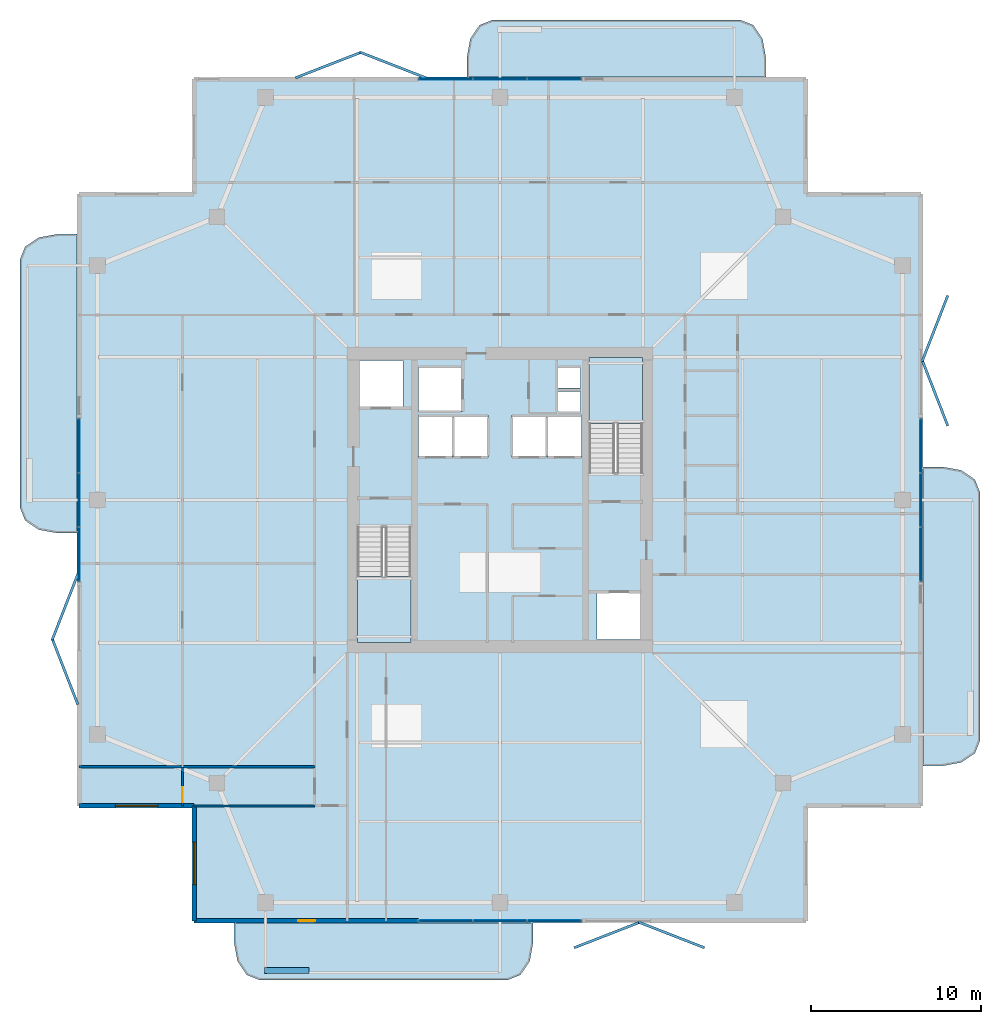
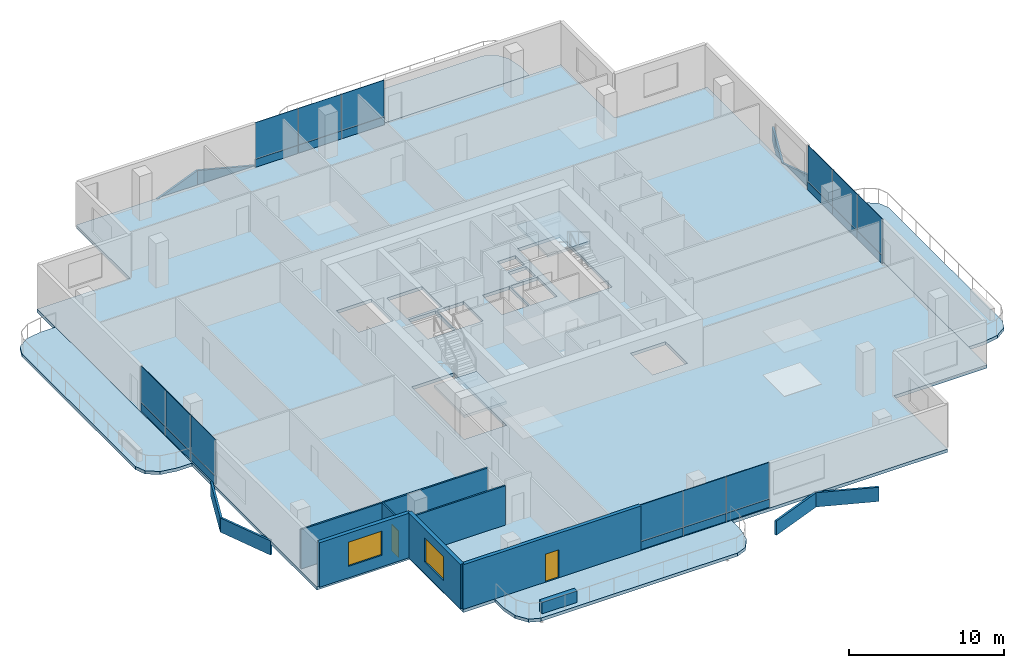
# One storey, part 17 of 25: 32 plates, 7 slabs, 7 walls, 2 doors, 2 windows, 4 openings, 6 elements without a shape of their own.
"""IFC4 building model written with IfcOpenShell, lengths in metres."""

import ifcopenshell
import ifcopenshell.guid

model = None  # the IFC model being written
_history = None  # IfcOwnerHistory: only IFC2X3 demands one
_inside = {}  # id of a spatial element -> (the spatial element, [elements in it])
_under = {}  # id of a project, library or spatial element -> (it, [spatial elements below it])
_declared = {}  # id of a project -> (the project, [libraries it declares])
_typed = {}  # id of a type object -> (the type object, [elements of that type])
_made_of = {}  # id of a material, layer set ... -> (it, [elements and type objects made of it])


def new_model(schema):
    """Start an empty IFC model of exactly this schema.

    Asked for "IFC4X3", IfcOpenShell would pick the latest addendum, in which some entities
    have other attributes; the version numbers below select the first issue.
    IFC2X3 requires an IfcOwnerHistory on every rooted entity: one is made here for all.
    """
    global model, _history
    if schema == "IFC4X3":
        model = ifcopenshell.file(schema_version=(4, 3, 0, 0))
    else:
        model = ifcopenshell.file(schema=schema)
    _inside.clear()
    _under.clear()
    _declared.clear()
    _typed.clear()
    _made_of.clear()
    _history = None
    if model.schema == "IFC2X3":
        org = make("IfcOrganization", Name="unknown")
        user = make(
            "IfcPersonAndOrganization",
            ThePerson=make("IfcPerson", FamilyName="unknown"),
            TheOrganization=org,
        )
        app = make(
            "IfcApplication",
            ApplicationDeveloper=org,
            Version="unknown",
            ApplicationFullName="unknown",
            ApplicationIdentifier="unknown",
        )
        _history = make(
            "IfcOwnerHistory",
            OwningUser=user,
            OwningApplication=app,
            ChangeAction="ADDED",
            CreationDate=0,
        )
    return model


def make(cls, **values):
    """One entity of the class cls with the attributes given. An attribute that is None is left unset."""
    return model.create_entity(
        cls, **{name: value for name, value in values.items() if value is not None}
    )


def rooted(cls, **values):
    """An entity with a GlobalId (a new one), such as an element, a storey or a relation."""
    return make(cls, GlobalId=ifcopenshell.guid.new(), OwnerHistory=_history, **values)


def si_unit(unit_type, name, prefix=None):
    """IfcSIUnit, for example si_unit("LENGTHUNIT", "METRE", prefix="MILLI")."""
    return make("IfcSIUnit", UnitType=unit_type, Prefix=prefix, Name=name)


def assignment(units):
    """IfcUnitAssignment: the units of a project."""
    return None if units is None else make("IfcUnitAssignment", Units=units)


def point(xyz):
    """IfcCartesianPoint."""
    return None if xyz is None else make("IfcCartesianPoint", Coordinates=xyz)


def direction(xyz):
    """IfcDirection."""
    return None if xyz is None else make("IfcDirection", DirectionRatios=xyz)


def frame(location, z_axis=None, x_axis=None):
    """IfcAxis2Placement3D, a coordinate frame: its origin and axes. An axis left out is left unset."""
    return make(
        "IfcAxis2Placement3D",
        Location=point(location),
        Axis=direction(z_axis),
        RefDirection=direction(x_axis),
    )


def frame_2d(location, x_axis=None):
    """IfcAxis2Placement2D, a coordinate frame in the plane: its origin and x axis."""
    return make(
        "IfcAxis2Placement2D", Location=point(location), RefDirection=direction(x_axis)
    )


def origin():
    """The frame at (0, 0, 0) with its axes left unset."""
    return frame((0.0, 0.0, 0.0))


def origin_2d():
    """The frame at (0, 0) in the plane with its x axis left unset."""
    return frame_2d((0.0, 0.0))


def place(relative_to, where):
    """IfcLocalPlacement: puts the frame where relative to a parent placement (None: the world)."""
    return make(
        "IfcLocalPlacement", PlacementRelTo=relative_to, RelativePlacement=where
    )


def context(
    kind, dimensions, precision=None, world=None, true_north=None, identifier=None
):
    """IfcGeometricRepresentationContext, for example the 3D "Model" context."""
    return make(
        "IfcGeometricRepresentationContext",
        ContextIdentifier=identifier,
        ContextType=kind,
        CoordinateSpaceDimension=dimensions,
        Precision=precision,
        WorldCoordinateSystem=world,
        TrueNorth=true_north,
    )


def subcontext(parent, identifier, kind, view, scale=None):
    """IfcGeometricRepresentationSubContext, for example "Body" below "Model"."""
    return make(
        "IfcGeometricRepresentationSubContext",
        ContextIdentifier=identifier,
        ContextType=kind,
        ParentContext=parent,
        TargetScale=scale,
        TargetView=view,
    )


def project(units=None, contexts=None):
    """IfcProject with its units and contexts."""
    return rooted(
        "IfcProject",
        Name="project",
        RepresentationContexts=contexts,
        UnitsInContext=assignment(units),
    )


def spatial(cls, under=None, at=None, **own):
    """A site, building, storey or space (cls), placed at a placement, below another one or the project."""
    s = rooted(cls, ObjectPlacement=at, **own)
    if under is not None:
        _under.setdefault(under.id(), (under, []))[1].append(s)
    return s


def polyline(points):
    """IfcPolyline through the points."""
    return make("IfcPolyline", Points=[point(p) for p in points])


def profile(cls, at=None, kind="AREA", **sizes):
    """A parametric profile (cls). Its sizes go by their IFC names, for example OverallWidth=200.0."""
    return make(cls, ProfileType=kind, Position=at, **sizes)


def rectangle(**sizes):
    """IfcRectangleProfileDef."""
    return profile("IfcRectangleProfileDef", **sizes)


def outline(outer, holes=None, kind="AREA"):
    """IfcArbitraryClosedProfileDef: a profile drawn as a closed curve; with holes, ...WithVoids."""
    if holes is None:
        return make("IfcArbitraryClosedProfileDef", ProfileType=kind, OuterCurve=outer)
    return make(
        "IfcArbitraryProfileDefWithVoids",
        ProfileType=kind,
        OuterCurve=outer,
        InnerCurves=holes,
    )


def extrude(swept, where, along, depth):
    """IfcExtrudedAreaSolid: the profile swept, set in the frame where, extruded along a direction by depth."""
    return make(
        "IfcExtrudedAreaSolid",
        SweptArea=swept,
        Position=where,
        ExtrudedDirection=direction(along),
        Depth=depth,
    )


def shape(context_of_items, identifier, shape_type, items):
    """IfcShapeRepresentation: the items that make up one representation, for example the "Body"."""
    return make(
        "IfcShapeRepresentation",
        ContextOfItems=context_of_items,
        RepresentationIdentifier=identifier,
        RepresentationType=shape_type,
        Items=items,
    )


def material(Name=None, Category=None):
    """IfcMaterial."""
    return make("IfcMaterial", Name=Name, Category=Category)


def layer(
    of_material, thickness, ventilated=None, Name=None, Category=None, Priority=None
):
    """IfcMaterialLayer: one layer of a wall or slab, of a material (None: an air gap)."""
    return make(
        "IfcMaterialLayer",
        Material=of_material,
        LayerThickness=thickness,
        IsVentilated=ventilated,
        Name=Name,
        Category=Category,
        Priority=Priority,
    )


def layer_set(layers, Name=None):
    """IfcMaterialLayerSet."""
    return make("IfcMaterialLayerSet", MaterialLayers=layers, LayerSetName=Name)


def made_of(thing, what):
    """Note that an element or type object is made of a material, layer set ...; save() writes the relation."""
    if what is not None:
        _made_of.setdefault(what.id(), (what, []))[1].append(thing)
    return thing


def type_object(cls, material=None, **own):
    """A type object (cls), such as IfcWallType, which elements share."""
    return made_of(rooted(cls, **own), material)


def element(
    cls,
    number,
    at=None,
    inside=None,
    cuts=None,
    type_object=None,
    material=None,
    context=None,
    identifier="Body",
    shape_type=None,
    held_by="IfcProductDefinitionShape",
    body=None,
    shapes=None,
    **own,
):
    """One element of the class cls, such as IfcWall. Its Tag is "e" and its number.

    at: its placement. inside: the storey or other place that contains it. cuts: it is an
    opening in that element (IfcRelVoidsElement). A single representation is given by context,
    identifier, shape_type and body (its items); several are given by shapes. held_by: the class
    of the entity that holds the representations. save() writes the other relations.
    """
    e = rooted(cls, Tag="e%d" % number, ObjectPlacement=at, **own)
    if body is not None:
        shapes = [shape(context, identifier, shape_type, body)]
    if shapes is not None:
        e.Representation = make(held_by, Representations=shapes)
    if inside is not None:
        _inside.setdefault(inside.id(), (inside, []))[1].append(e)
    if cuts is not None:
        rooted(
            "IfcRelVoidsElement", RelatingBuildingElement=cuts, RelatedOpeningElement=e
        )
    if type_object is not None:
        _typed.setdefault(type_object.id(), (type_object, []))[1].append(e)
    return made_of(e, material)


def fill(opening, filler):
    """IfcRelFillsElement: the door or window that sits in an opening."""
    return rooted(
        "IfcRelFillsElement",
        RelatingOpeningElement=opening,
        RelatedBuildingElement=filler,
    )


def aggregate(whole, parts):
    """IfcRelAggregates: a whole, such as a stair, and the parts it consists of."""
    return rooted("IfcRelAggregates", RelatingObject=whole, RelatedObjects=parts)


def save(model, path):
    """Write the relations noted so far, then the file.

    IfcRelAggregates (storeys below a building ...), IfcRelContainedInSpatialStructure (elements
    in a storey), IfcRelDefinesByType, IfcRelAssociatesMaterial and IfcRelDeclares: one each for
    every whole, place, type object, material and project.
    """
    for whole, parts in _under.values():
        aggregate(whole, parts)
    for where, things in _inside.values():
        rooted(
            "IfcRelContainedInSpatialStructure",
            RelatedElements=things,
            RelatingStructure=where,
        )
    for kind, things in _typed.values():
        rooted("IfcRelDefinesByType", RelatedObjects=things, RelatingType=kind)
    for what, things in _made_of.values():
        rooted("IfcRelAssociatesMaterial", RelatedObjects=things, RelatingMaterial=what)
    for by, libraries in _declared.values():
        rooted("IfcRelDeclares", RelatingContext=by, RelatedDefinitions=libraries)
    model.write(path)


model = new_model("IFC4")

# Units and contexts
model_context = context("Model", 3, precision=1e-05, world=origin(), true_north=direction((0.0, 1.0)))
body_context = subcontext(model_context, "Body", "Model", "MODEL_VIEW")
ifc_project = project(units=[si_unit("LENGTHUNIT", "METRE"), si_unit("AREAUNIT", "SQUARE_METRE"), si_unit("VOLUMEUNIT", "CUBIC_METRE"), si_unit("PLANEANGLEUNIT", "RADIAN"), si_unit("MASSUNIT", "GRAM", prefix="KILO")], contexts=[model_context])

# Site, building, storey
site_placement = place(None, origin())
site = spatial("IfcSite", under=ifc_project, at=site_placement, CompositionType="ELEMENT")
building_placement = place(site_placement, origin())
building = spatial("IfcBuilding", under=site, at=building_placement, Name="Belovzor Exchange Tower", CompositionType="ELEMENT")
storey_placement = place(building_placement, frame((0.0, 0.0, 254.10009765625)))
storey = spatial("IfcBuildingStorey", under=building, at=storey_placement, Name="L63", CompositionType="ELEMENT", Elevation=254.10009765625)

# Slab
ifc_material_1 = material(Name="Concrete C40/50", Category="concrete")
ifc_layer_1 = layer(ifc_material_1, 0.25)
ifc_layer_set_1 = layer_set([ifc_layer_1], Name="Concrete C40/50")
slab_type_1 = type_object("IfcSlabType", Name="Composite Concrete Floor Deck Slab 250", PredefinedType="FLOOR", material=ifc_layer_set_1)
slab_1_placement = place(storey_placement, frame((0.0, 0.0, -0.25)))
element("IfcSlab", 1, at=slab_1_placement, inside=storey, type_object=slab_type_1, Name="SL-F250 Structural Slab L63", PredefinedType="FLOOR", context=body_context, shape_type="SweptSolid", body=[
    extrude(outline(polyline([(10.800048828125, 3.89990234375), (46.800048828125, 3.89990234375), (46.800048828125, 10.800048828125), (53.699951171875, 10.800048828125), (53.699951171875, 46.800048828125), (46.800048828125, 46.800048828125), (46.800048828125, 53.699951171875), (10.800048828125, 53.699951171875), (10.800048828125, 46.800048828125), (3.89990234375, 46.800048828125), (3.89990234375, 10.800048828125), (10.800048828125, 10.800048828125), (10.800048828125, 3.89990234375)]), holes=[polyline([(20.39990234375, 27.175048828125), (20.39990234375, 20.39990234375), (23.550048828125, 20.39990234375), (23.550048828125, 27.175048828125), (20.39990234375, 27.175048828125)]), polyline([(37.199951171875, 30.425048828125), (37.199951171875, 37.199951171875), (34.050048828125, 37.199951171875), (34.050048828125, 30.425048828125), (37.199951171875, 30.425048828125)]), polyline([(20.5, 34.199951171875), (23.10009765625, 34.199951171875), (23.10009765625, 37.0), (20.5, 37.0), (20.5, 34.199951171875)]), polyline([(34.5, 20.60009765625), (37.10009765625, 20.60009765625), (37.10009765625, 23.39990234375), (34.5, 23.39990234375), (34.5, 20.60009765625)]), polyline([(24.0, 34.0), (26.60009765625, 34.0), (26.60009765625, 36.60009765625), (24.0, 36.60009765625), (24.0, 34.0)]), polyline([(24.0, 31.300048828125), (26.0, 31.300048828125), (26.0, 33.800048828125), (24.0, 33.800048828125), (24.0, 31.300048828125)]), polyline([(26.10009765625, 31.300048828125), (28.10009765625, 31.300048828125), (28.10009765625, 33.800048828125), (26.10009765625, 33.800048828125), (26.10009765625, 31.300048828125)]), polyline([(29.5, 31.300048828125), (31.5, 31.300048828125), (31.5, 33.800048828125), (29.5, 33.800048828125), (29.5, 31.300048828125)]), polyline([(31.60009765625, 31.300048828125), (33.60009765625, 31.300048828125), (33.60009765625, 33.800048828125), (31.60009765625, 33.800048828125), (31.60009765625, 31.300048828125)]), polyline([(32.199951171875, 34.0), (33.550048828125, 34.0), (33.550048828125, 35.199951171875), (32.199951171875, 35.199951171875), (32.199951171875, 34.0)]), polyline([(32.199951171875, 35.39990234375), (33.550048828125, 35.39990234375), (33.550048828125, 36.60009765625), (32.199951171875, 36.60009765625), (32.199951171875, 35.39990234375)])]), origin(), (0.0, 0.0, 1.0), 0.25),
])

# Curtain wall, plates
ifc_material_2 = material(Name="Anodised Aluminium Framing", Category="aluminium")
ifc_layer_2 = layer(ifc_material_2, 0.179931640625)
ifc_layer_set_2 = layer_set([ifc_layer_2], Name="Anodised Aluminium Framing")
curtain_wall_type = type_object("IfcCurtainWallType", Name="Recessed Loggia Low-Iron Triple-Glazed Curtain Wall", PredefinedType="NOTDEFINED", material=ifc_layer_set_2)
curtain_wall_1_placement = place(storey_placement, origin())
curtain_wall_1 = element("IfcCurtainWall", 2, at=curtain_wall_1_placement, inside=storey, type_object=curtain_wall_type, Name="CW3 Recessed Loggia Low-Iron Triple-Glazed Curtain Wall L63", PredefinedType="NOTDEFINED")
ifc_material_3 = material(Name="Solar-Control Triple Glazing", Category="glass")
ifc_layer_3 = layer(ifc_material_3, 0.0439453125)
ifc_layer_set_3 = layer_set([ifc_layer_3], Name="Solar-Control Triple Glazing")
plate_type_1 = type_object("IfcPlateType", Name="Insulated Solar Glazing Curtain Panel 44", PredefinedType="CURTAIN_PANEL", material=ifc_layer_set_3)
plate_1_placement = place(storey_placement, frame((32.0, 4.030029296875, 0.6318359375), z_axis=(0.0, 0.0, 1.0), x_axis=(-1.0, 0.0, 0.0)))
plate_1 = element("IfcPlate", 3, at=plate_1_placement, type_object=plate_type_1, Name="GLZ-44 Glazed Curtain Panel 1", PredefinedType="CURTAIN_PANEL", context=body_context, shape_type="SweptSolid", body=[
    extrude(rectangle(XDim=3.18408203125, YDim=0.0439453125, at=origin_2d()), origin(), (0.0, 0.0, 1.0), 2.867919921875),
])
plate_2_placement = place(storey_placement, frame((28.800048828125, 4.030029296875, 0.6318359375), z_axis=(0.0, 0.0, 1.0), x_axis=(-1.0, 0.0, 0.0)))
plate_2 = element("IfcPlate", 4, at=plate_2_placement, type_object=plate_type_1, Name="GLZ-44 Glazed Curtain Panel 2", PredefinedType="CURTAIN_PANEL", context=body_context, shape_type="SweptSolid", body=[
    extrude(rectangle(XDim=3.18408203125, YDim=0.0439453125, at=origin_2d()), origin(), (0.0, 0.0, 1.0), 2.867919921875),
])
plate_3_placement = place(storey_placement, frame((25.60009765625, 4.030029296875, 0.6318359375), z_axis=(0.0, 0.0, 1.0), x_axis=(-1.0, 0.0, 0.0)))
plate_3 = element("IfcPlate", 5, at=plate_3_placement, type_object=plate_type_1, Name="GLZ-44 Glazed Curtain Panel 3", PredefinedType="CURTAIN_PANEL", context=body_context, shape_type="SweptSolid", body=[
    extrude(rectangle(XDim=3.18408203125, YDim=0.0439453125, at=origin_2d()), origin(), (0.0, 0.0, 1.0), 2.867919921875),
])

curtain_wall_2_placement = place(storey_placement, origin())
curtain_wall_2 = element("IfcCurtainWall", 6, at=curtain_wall_2_placement, inside=storey, type_object=curtain_wall_type, Name="CW3 Recessed Loggia Low-Iron Triple-Glazed Curtain Wall L63", PredefinedType="NOTDEFINED")
plate_4_placement = place(storey_placement, frame((25.60009765625, 53.570068359375, 0.6318359375), z_axis=(0.0, 0.0, 1.0), x_axis=(1.0, 0.0, 0.0)))
plate_4 = element("IfcPlate", 7, at=plate_4_placement, type_object=plate_type_1, Name="GLZ-44 Glazed Curtain Panel 1", PredefinedType="CURTAIN_PANEL", context=body_context, shape_type="SweptSolid", body=[
    extrude(rectangle(XDim=3.18408203125, YDim=0.0439453125, at=origin_2d()), origin(), (0.0, 0.0, 1.0), 2.867919921875),
])
plate_5_placement = place(storey_placement, frame((28.800048828125, 53.570068359375, 0.6318359375), z_axis=(0.0, 0.0, 1.0), x_axis=(1.0, 0.0, 0.0)))
plate_5 = element("IfcPlate", 8, at=plate_5_placement, type_object=plate_type_1, Name="GLZ-44 Glazed Curtain Panel 2", PredefinedType="CURTAIN_PANEL", context=body_context, shape_type="SweptSolid", body=[
    extrude(rectangle(XDim=3.18408203125, YDim=0.0439453125, at=origin_2d()), origin(), (0.0, 0.0, 1.0), 2.867919921875),
])
plate_6_placement = place(storey_placement, frame((32.0, 53.570068359375, 0.6318359375), z_axis=(0.0, 0.0, 1.0), x_axis=(1.0, 0.0, 0.0)))
plate_6 = element("IfcPlate", 9, at=plate_6_placement, type_object=plate_type_1, Name="GLZ-44 Glazed Curtain Panel 3", PredefinedType="CURTAIN_PANEL", context=body_context, shape_type="SweptSolid", body=[
    extrude(rectangle(XDim=3.18408203125, YDim=0.0439453125, at=origin_2d()), origin(), (0.0, 0.0, 1.0), 2.867919921875),
])

curtain_wall_3_placement = place(storey_placement, origin())
curtain_wall_3 = element("IfcCurtainWall", 10, at=curtain_wall_3_placement, inside=storey, type_object=curtain_wall_type, Name="CW3 Recessed Loggia Low-Iron Triple-Glazed Curtain Wall L63", PredefinedType="NOTDEFINED")
plate_7_placement = place(storey_placement, frame((4.030029296875, 25.60009765625, 0.6318359375), z_axis=(0.0, 0.0, 1.0), x_axis=(0.0, 1.0, 0.0)))
plate_7 = element("IfcPlate", 11, at=plate_7_placement, type_object=plate_type_1, Name="GLZ-44 Glazed Curtain Panel 1", PredefinedType="CURTAIN_PANEL", context=body_context, shape_type="SweptSolid", body=[
    extrude(rectangle(XDim=3.18408203125, YDim=0.0439453125, at=origin_2d()), origin(), (0.0, 0.0, 1.0), 2.867919921875),
])
plate_8_placement = place(storey_placement, frame((4.030029296875, 28.800048828125, 0.6318359375), z_axis=(0.0, 0.0, 1.0), x_axis=(0.0, 1.0, 0.0)))
plate_8 = element("IfcPlate", 12, at=plate_8_placement, type_object=plate_type_1, Name="GLZ-44 Glazed Curtain Panel 2", PredefinedType="CURTAIN_PANEL", context=body_context, shape_type="SweptSolid", body=[
    extrude(rectangle(XDim=3.18408203125, YDim=0.0439453125, at=origin_2d()), origin(), (0.0, 0.0, 1.0), 2.867919921875),
])
plate_9_placement = place(storey_placement, frame((4.030029296875, 32.0, 0.6318359375), z_axis=(0.0, 0.0, 1.0), x_axis=(0.0, 1.0, 0.0)))
plate_9 = element("IfcPlate", 13, at=plate_9_placement, type_object=plate_type_1, Name="GLZ-44 Glazed Curtain Panel 3", PredefinedType="CURTAIN_PANEL", context=body_context, shape_type="SweptSolid", body=[
    extrude(rectangle(XDim=3.18408203125, YDim=0.0439453125, at=origin_2d()), origin(), (0.0, 0.0, 1.0), 2.867919921875),
])

curtain_wall_4_placement = place(storey_placement, origin())
curtain_wall_4 = element("IfcCurtainWall", 14, at=curtain_wall_4_placement, inside=storey, type_object=curtain_wall_type, Name="CW3 Recessed Loggia Low-Iron Triple-Glazed Curtain Wall L63", PredefinedType="NOTDEFINED")
plate_10_placement = place(storey_placement, frame((53.570068359375, 32.0, 0.6318359375), z_axis=(0.0, 0.0, 1.0), x_axis=(0.0, -1.0, 0.0)))
plate_10 = element("IfcPlate", 15, at=plate_10_placement, type_object=plate_type_1, Name="GLZ-44 Glazed Curtain Panel 1", PredefinedType="CURTAIN_PANEL", context=body_context, shape_type="SweptSolid", body=[
    extrude(rectangle(XDim=3.18408203125, YDim=0.0439453125, at=origin_2d()), origin(), (0.0, 0.0, 1.0), 2.867919921875),
])
plate_11_placement = place(storey_placement, frame((53.570068359375, 28.800048828125, 0.6318359375), z_axis=(0.0, 0.0, 1.0), x_axis=(0.0, -1.0, 0.0)))
plate_11 = element("IfcPlate", 16, at=plate_11_placement, type_object=plate_type_1, Name="GLZ-44 Glazed Curtain Panel 2", PredefinedType="CURTAIN_PANEL", context=body_context, shape_type="SweptSolid", body=[
    extrude(rectangle(XDim=3.18408203125, YDim=0.0439453125, at=origin_2d()), origin(), (0.0, 0.0, 1.0), 2.867919921875),
])
plate_12_placement = place(storey_placement, frame((53.570068359375, 25.60009765625, 0.6318359375), z_axis=(0.0, 0.0, 1.0), x_axis=(0.0, -1.0, 0.0)))
plate_12 = element("IfcPlate", 17, at=plate_12_placement, type_object=plate_type_1, Name="GLZ-44 Glazed Curtain Panel 3", PredefinedType="CURTAIN_PANEL", context=body_context, shape_type="SweptSolid", body=[
    extrude(rectangle(XDim=3.18408203125, YDim=0.0439453125, at=origin_2d()), origin(), (0.0, 0.0, 1.0), 2.867919921875),
])

# Stair, slab
ifc_material_4 = material(Name="Concrete C40/50", Category="concrete")
stair_type = type_object("IfcStairType", Name="Reinforced Concrete Dogleg Escape Stair 1350", PredefinedType="HALF_TURN_STAIR", material=ifc_material_4)
stair_1_placement = place(storey_placement, origin())
stair_1 = element("IfcStair", 18, at=stair_1_placement, inside=storey, type_object=stair_type, Name="L63 ST-1", PredefinedType="HALF_TURN_STAIR")
ifc_material_5 = material(Name="Concrete C40/50", Category="concrete")
ifc_layer_4 = layer(ifc_material_5, 0.199951171875)
ifc_layer_set_4 = layer_set([ifc_layer_4], Name="Concrete C40/50")
slab_type_2 = type_object("IfcSlabType", Name="Reinforced Concrete Stair Half-Landing Slab 200", PredefinedType="LANDING", material=ifc_layer_set_4)
slab_2_placement = place(storey_placement, frame((0.0, 0.0, 1.6748046875)))
slab_2 = element("IfcSlab", 19, at=slab_2_placement, type_object=slab_type_2, Name="ST-1 landing 1", PredefinedType="LANDING", context=body_context, shape_type="SweptSolid", body=[
    extrude(outline(polyline([(20.39990234375, 24.300048828125), (20.39990234375, 20.39990234375), (23.550048828125, 20.39990234375), (23.550048828125, 24.300048828125), (20.39990234375, 24.300048828125)])), origin(), (0.0, 0.0, 1.0), 0.2001953125),
])
aggregate(stair_1, [slab_2])

stair_2_placement = place(storey_placement, origin())
stair_2 = element("IfcStair", 20, at=stair_2_placement, inside=storey, type_object=stair_type, Name="L63 ST-2", PredefinedType="HALF_TURN_STAIR")
slab_3_placement = place(storey_placement, frame((0.0, 0.0, 1.6748046875)))
slab_3 = element("IfcSlab", 21, at=slab_3_placement, type_object=slab_type_2, Name="ST-2 landing 1", PredefinedType="LANDING", context=body_context, shape_type="SweptSolid", body=[
    extrude(outline(polyline([(37.199951171875, 33.300048828125), (37.199951171875, 37.199951171875), (34.050048828125, 37.199951171875), (34.050048828125, 33.300048828125), (37.199951171875, 33.300048828125)])), origin(), (0.0, 0.0, 1.0), 0.2001953125),
])
aggregate(stair_2, [slab_3])

# Plate
ifc_material_6 = material(Name="Extruded Architectural Terracotta", Category="masonry")
ifc_layer_5 = layer(ifc_material_6, 0.090087890625)
ifc_layer_set_5 = layer_set([ifc_layer_5], Name="Extruded Architectural Terracotta")
plate_type_2 = type_object("IfcPlateType", Name="Terracotta Shadow-Box Spandrel Panel 90", PredefinedType="CURTAIN_PANEL", material=ifc_layer_set_5)
plate_13_placement = place(storey_placement, frame((32.0, 4.030029296875, 0.0), z_axis=(0.0, 0.0, 1.0), x_axis=(-1.0, 0.0, 0.0)))
plate_13 = element("IfcPlate", 22, at=plate_13_placement, type_object=plate_type_2, Name="SPD-90 Spandrel Panel 1", PredefinedType="CURTAIN_PANEL", context=body_context, shape_type="SweptSolid", body=[
    extrude(rectangle(XDim=3.18408203125, YDim=0.090087890625, at=origin_2d()), origin(), (0.0, 0.0, 1.0), 0.6279296875),
])

plate_14_placement = place(storey_placement, frame((28.800048828125, 4.030029296875, 0.0), z_axis=(0.0, 0.0, 1.0), x_axis=(-1.0, 0.0, 0.0)))
plate_14 = element("IfcPlate", 23, at=plate_14_placement, type_object=plate_type_2, Name="SPD-90 Spandrel Panel 2", PredefinedType="CURTAIN_PANEL", context=body_context, shape_type="SweptSolid", body=[
    extrude(rectangle(XDim=3.18408203125, YDim=0.090087890625, at=origin_2d()), origin(), (0.0, 0.0, 1.0), 0.6279296875),
])

plate_15_placement = place(storey_placement, frame((25.60009765625, 4.030029296875, 0.0), z_axis=(0.0, 0.0, 1.0), x_axis=(-1.0, 0.0, 0.0)))
plate_15 = element("IfcPlate", 24, at=plate_15_placement, type_object=plate_type_2, Name="SPD-90 Spandrel Panel 3", PredefinedType="CURTAIN_PANEL", context=body_context, shape_type="SweptSolid", body=[
    extrude(rectangle(XDim=3.18408203125, YDim=0.090087890625, at=origin_2d()), origin(), (0.0, 0.0, 1.0), 0.6279296875),
])

aggregate(curtain_wall_1, [plate_13, plate_1, plate_14, plate_2, plate_15, plate_3])

plate_16_placement = place(storey_placement, frame((25.60009765625, 53.570068359375, 0.0), z_axis=(0.0, 0.0, 1.0), x_axis=(1.0, 0.0, 0.0)))
plate_16 = element("IfcPlate", 25, at=plate_16_placement, type_object=plate_type_2, Name="SPD-90 Spandrel Panel 1", PredefinedType="CURTAIN_PANEL", context=body_context, shape_type="SweptSolid", body=[
    extrude(rectangle(XDim=3.18408203125, YDim=0.090087890625, at=origin_2d()), origin(), (0.0, 0.0, 1.0), 0.6279296875),
])

plate_17_placement = place(storey_placement, frame((28.800048828125, 53.570068359375, 0.0), z_axis=(0.0, 0.0, 1.0), x_axis=(1.0, 0.0, 0.0)))
plate_17 = element("IfcPlate", 26, at=plate_17_placement, type_object=plate_type_2, Name="SPD-90 Spandrel Panel 2", PredefinedType="CURTAIN_PANEL", context=body_context, shape_type="SweptSolid", body=[
    extrude(rectangle(XDim=3.18408203125, YDim=0.090087890625, at=origin_2d()), origin(), (0.0, 0.0, 1.0), 0.6279296875),
])

plate_18_placement = place(storey_placement, frame((32.0, 53.570068359375, 0.0), z_axis=(0.0, 0.0, 1.0), x_axis=(1.0, 0.0, 0.0)))
plate_18 = element("IfcPlate", 27, at=plate_18_placement, type_object=plate_type_2, Name="SPD-90 Spandrel Panel 3", PredefinedType="CURTAIN_PANEL", context=body_context, shape_type="SweptSolid", body=[
    extrude(rectangle(XDim=3.18408203125, YDim=0.090087890625, at=origin_2d()), origin(), (0.0, 0.0, 1.0), 0.6279296875),
])

aggregate(curtain_wall_2, [plate_16, plate_4, plate_17, plate_5, plate_18, plate_6])

plate_19_placement = place(storey_placement, frame((4.030029296875, 25.60009765625, 0.0), z_axis=(0.0, 0.0, 1.0), x_axis=(0.0, 1.0, 0.0)))
plate_19 = element("IfcPlate", 28, at=plate_19_placement, type_object=plate_type_2, Name="SPD-90 Spandrel Panel 1", PredefinedType="CURTAIN_PANEL", context=body_context, shape_type="SweptSolid", body=[
    extrude(rectangle(XDim=3.18408203125, YDim=0.090087890625, at=origin_2d()), origin(), (0.0, 0.0, 1.0), 0.6279296875),
])

plate_20_placement = place(storey_placement, frame((4.030029296875, 28.800048828125, 0.0), z_axis=(0.0, 0.0, 1.0), x_axis=(0.0, 1.0, 0.0)))
plate_20 = element("IfcPlate", 29, at=plate_20_placement, type_object=plate_type_2, Name="SPD-90 Spandrel Panel 2", PredefinedType="CURTAIN_PANEL", context=body_context, shape_type="SweptSolid", body=[
    extrude(rectangle(XDim=3.18408203125, YDim=0.090087890625, at=origin_2d()), origin(), (0.0, 0.0, 1.0), 0.6279296875),
])

plate_21_placement = place(storey_placement, frame((4.030029296875, 32.0, 0.0), z_axis=(0.0, 0.0, 1.0), x_axis=(0.0, 1.0, 0.0)))
plate_21 = element("IfcPlate", 30, at=plate_21_placement, type_object=plate_type_2, Name="SPD-90 Spandrel Panel 3", PredefinedType="CURTAIN_PANEL", context=body_context, shape_type="SweptSolid", body=[
    extrude(rectangle(XDim=3.18408203125, YDim=0.090087890625, at=origin_2d()), origin(), (0.0, 0.0, 1.0), 0.6279296875),
])

aggregate(curtain_wall_3, [plate_19, plate_7, plate_20, plate_8, plate_21, plate_9])

plate_22_placement = place(storey_placement, frame((53.570068359375, 32.0, 0.0), z_axis=(0.0, 0.0, 1.0), x_axis=(0.0, -1.0, 0.0)))
plate_22 = element("IfcPlate", 31, at=plate_22_placement, type_object=plate_type_2, Name="SPD-90 Spandrel Panel 1", PredefinedType="CURTAIN_PANEL", context=body_context, shape_type="SweptSolid", body=[
    extrude(rectangle(XDim=3.18408203125, YDim=0.090087890625, at=origin_2d()), origin(), (0.0, 0.0, 1.0), 0.6279296875),
])

plate_23_placement = place(storey_placement, frame((53.570068359375, 28.800048828125, 0.0), z_axis=(0.0, 0.0, 1.0), x_axis=(0.0, -1.0, 0.0)))
plate_23 = element("IfcPlate", 32, at=plate_23_placement, type_object=plate_type_2, Name="SPD-90 Spandrel Panel 2", PredefinedType="CURTAIN_PANEL", context=body_context, shape_type="SweptSolid", body=[
    extrude(rectangle(XDim=3.18408203125, YDim=0.090087890625, at=origin_2d()), origin(), (0.0, 0.0, 1.0), 0.6279296875),
])

plate_24_placement = place(storey_placement, frame((53.570068359375, 25.60009765625, 0.0), z_axis=(0.0, 0.0, 1.0), x_axis=(0.0, -1.0, 0.0)))
plate_24 = element("IfcPlate", 33, at=plate_24_placement, type_object=plate_type_2, Name="SPD-90 Spandrel Panel 3", PredefinedType="CURTAIN_PANEL", context=body_context, shape_type="SweptSolid", body=[
    extrude(rectangle(XDim=3.18408203125, YDim=0.090087890625, at=origin_2d()), origin(), (0.0, 0.0, 1.0), 0.6279296875),
])

aggregate(curtain_wall_4, [plate_22, plate_10, plate_23, plate_11, plate_24, plate_12])

# Slabs
ifc_material_7 = material(Name="Concrete C40/50", Category="concrete")
ifc_layer_6 = layer(ifc_material_7, 0.25)
ifc_layer_set_6 = layer_set([ifc_layer_6], Name="Concrete C40/50")
slab_type_3 = type_object("IfcSlabType", Name="Thermally Broken Planted Balcony Slab 250", PredefinedType="FLOOR", material=ifc_layer_set_6)
slab_4_placement = place(storey_placement, frame((0.0, 0.0, -0.25)))
element("IfcSlab", 34, at=slab_4_placement, inside=storey, type_object=slab_type_3, Name="SL-BAL220 Planted Balcony Loggia L63 South", PredefinedType="FLOOR", context=body_context, shape_type="SweptSolid", body=[
    extrude(outline(polyline([(13.14990234375, 3.9150390625), (13.14990234375, 2.75), (13.35107421875, 1.64990234375), (13.89990234375, 0.844970703125), (14.64990234375, 0.550048828125), (29.25, 0.550048828125), (30.0, 0.844970703125), (30.549072265625, 1.64990234375), (30.75, 2.75), (30.75, 3.9150390625), (13.14990234375, 3.9150390625)])), origin(), (0.0, 0.0, 1.0), 0.25),
])
slab_5_placement = place(storey_placement, frame((0.0, 0.0, -0.25)))
element("IfcSlab", 35, at=slab_5_placement, inside=storey, type_object=slab_type_3, Name="SL-BAL220 Planted Balcony Loggia L63 North", PredefinedType="FLOOR", context=body_context, shape_type="SweptSolid", body=[
    extrude(outline(polyline([(44.449951171875, 53.68505859375), (44.449951171875, 54.85009765625), (44.2490234375, 55.949951171875), (43.699951171875, 56.7548828125), (42.949951171875, 57.050048828125), (28.35009765625, 57.050048828125), (27.60009765625, 56.7548828125), (27.051025390625, 55.949951171875), (26.85009765625, 54.85009765625), (26.85009765625, 53.68505859375), (44.449951171875, 53.68505859375)])), origin(), (0.0, 0.0, 1.0), 0.25),
])
slab_6_placement = place(storey_placement, frame((0.0, 0.0, -0.25)))
element("IfcSlab", 36, at=slab_6_placement, inside=storey, type_object=slab_type_3, Name="SL-BAL220 Planted Balcony Loggia L63 East", PredefinedType="FLOOR", context=body_context, shape_type="SweptSolid", body=[
    extrude(outline(polyline([(53.68505859375, 13.14990234375), (54.85009765625, 13.14990234375), (55.949951171875, 13.35107421875), (56.7548828125, 13.89990234375), (57.050048828125, 14.64990234375), (57.050048828125, 29.25), (56.7548828125, 30.0), (55.949951171875, 30.549072265625), (54.85009765625, 30.75), (53.68505859375, 30.75), (53.68505859375, 13.14990234375)])), origin(), (0.0, 0.0, 1.0), 0.25),
])
slab_7_placement = place(storey_placement, frame((0.0, 0.0, -0.25)))
element("IfcSlab", 37, at=slab_7_placement, inside=storey, type_object=slab_type_3, Name="SL-BAL220 Planted Balcony Loggia L63 West", PredefinedType="FLOOR", context=body_context, shape_type="SweptSolid", body=[
    extrude(outline(polyline([(3.9150390625, 44.449951171875), (2.75, 44.449951171875), (1.64990234375, 44.2490234375), (0.844970703125, 43.699951171875), (0.550048828125, 42.949951171875), (0.550048828125, 28.35009765625), (0.844970703125, 27.60009765625), (1.64990234375, 27.051025390625), (2.75, 26.85009765625), (3.9150390625, 26.85009765625), (3.9150390625, 44.449951171875)])), origin(), (0.0, 0.0, 1.0), 0.25),
])

# Plates
ifc_material_8 = material(Name="Extruded Architectural Terracotta", Category="masonry")
ifc_layer_7 = layer(ifc_material_8, 0.14990234375)
ifc_layer_set_7 = layer_set([ifc_layer_7], Name="Extruded Architectural Terracotta")
plate_type_3 = type_object("IfcPlateType", Name="Upper-Crown Deep Folded Zigzag Terracotta Spandrel Louvre 150", PredefinedType="USERDEFINED", material=ifc_layer_set_7)
for number, where, z_axis, x_axis, name in (
    (38, (18.699951171875, 54.39990234375, -1.105224609375), (0.0, 0.0, 1.0), (0.931817969421, 0.362925986758, 0.0), "LVR-ZZ3 Zigzag Terracotta Spandrel Louvre L63 N1A"),
    (39, (22.5, 54.39990234375, -1.105224609375), (0.0, 0.0, 1.0), (0.931817969421, -0.362925986758, 0.0), "LVR-ZZ3 Zigzag Terracotta Spandrel Louvre L63 N1B"),
    (40, (3.199951171875, 18.699951171875, -1.105224609375), (0.0, 0.0, 1.0), (-0.362925986758, 0.931817969421, 0.0), "LVR-ZZ3 Zigzag Terracotta Spandrel Louvre L63 W1A"),
    (41, (3.199951171875, 22.5, -1.105224609375), (0.0, 0.0, 1.0), (0.362925986758, 0.931817969421, 0.0), "LVR-ZZ3 Zigzag Terracotta Spandrel Louvre L63 W1B"),
    (42, (35.10009765625, 3.199951171875, -1.105224609375), (0.0, 0.0, 1.0), (0.931817969421, 0.362925986758, 0.0), "LVR-ZZ3 Zigzag Terracotta Spandrel Louvre L63 S2A"),
    (43, (38.89990234375, 3.199951171875, -1.105224609375), (0.0, 0.0, 1.0), (0.931817969421, -0.362925986758, 0.0), "LVR-ZZ3 Zigzag Terracotta Spandrel Louvre L63 S2B"),
    (44, (54.39990234375, 35.10009765625, -1.105224609375), (0.0, 0.0, 1.0), (-0.362925986758, 0.931817969421, 0.0), "LVR-ZZ3 Zigzag Terracotta Spandrel Louvre L63 E2A"),
    (45, (54.39990234375, 38.89990234375, -1.105224609375), (0.0, 0.0, 1.0), (0.362925986758, 0.931817969421, 0.0), "LVR-ZZ3 Zigzag Terracotta Spandrel Louvre L63 E2B"),
):
    element("IfcPlate", number, at=place(storey_placement, frame(where, z_axis=z_axis, x_axis=x_axis)), inside=storey, type_object=plate_type_3, Name=name, ObjectType="SPANDREL_LOUVRE", PredefinedType="USERDEFINED", context=body_context, shape_type="SweptSolid", body=[
        extrude(rectangle(XDim=4.157958984375, YDim=0.14990234375, at=origin_2d()), origin(), (0.0, 0.0, 1.0), 1.1201171875),
    ])

# Wall, opening, door
ifc_material_9 = material(Name="Acoustic Plasterboard on Galvanised Studs", Category="gypsum")
ifc_layer_8 = layer(ifc_material_9, 0.1201171875)
ifc_layer_set_8 = layer_set([ifc_layer_8], Name="Acoustic Plasterboard on Galvanised Studs")
wall_type_1 = type_object("IfcWallType", Name="Acoustic Double-Stud Partition Wall 120", PredefinedType="PARTITIONING", material=ifc_layer_set_8)
wall_1_placement = place(storey_placement, frame((10.114990234375, 10.800048828125, 0.0), z_axis=(0.0, 0.0, 1.0), x_axis=(0.0, 1.0, 0.0)))
wall_1 = element("IfcWall", 46, at=wall_1_placement, inside=storey, type_object=wall_type_1, Name="W-P120 Partition Wall W-L63-WHDIV-0", PredefinedType="PARTITIONING", context=body_context, shape_type="SweptSolid", body=[
    extrude(rectangle(XDim=2.300048828125, YDim=0.1201171875, at=frame_2d((1.14990234375, 0.0))), origin(), (0.0, 0.0, 1.0), 3.0849609375),
])
opening_1_placement = place(wall_1_placement, frame((0.199951171875, 0.0, 0.0)))
opening_1 = element("IfcOpeningElement", 47, at=opening_1_placement, cuts=wall_1, Name="Opening D-INT-090", PredefinedType="OPENING", context=body_context, shape_type="SweptSolid", body=[
    extrude(rectangle(XDim=0.89990234375, YDim=2.10009765625, at=frame_2d((0.449951171875, 1.050048828125))), frame((0.0, 0.070068359375, 0.0), z_axis=(0.0, -1.0, 0.0), x_axis=(1.0, 0.0, 0.0)), (0.0, 0.0, 1.0), 0.14013671875),
])
ifc_material_10 = material(Name="Veneered Hardwood Acoustic Leaf", Category="wood")
door_type_1 = type_object("IfcDoorType", Name="Trading Suite Acoustic Single Door 900x2100", OperationType="NOTDEFINED", PredefinedType="DOOR", material=ifc_material_10)
door_1_placement = place(opening_1_placement, origin())
door_1 = element("IfcDoor", 48, at=door_1_placement, inside=storey, type_object=door_type_1, Name="D-INT-090 Trading Suite Acoustic Single Door 900x2100", OperationType="SINGLE_SWING_LEFT", OverallHeight=2.10009765625, OverallWidth=0.89990234375, PredefinedType="DOOR", context=body_context, shape_type="SweptSolid", body=[
    extrude(rectangle(XDim=0.89990234375, YDim=2.10009765625, at=frame_2d((0.449951171875, 1.050048828125))), frame((0.0, 0.02490234375, 0.0), z_axis=(0.0, -1.0, 0.0), x_axis=(1.0, 0.0, 0.0)), (0.0, 0.0, 1.0), 0.050048828125),
])
fill(opening_1, door_1)

# Walls
wall_2_placement = place(storey_placement, frame((4.030029296875, 13.10009765625, 0.0), z_axis=(0.0, 0.0, 1.0), x_axis=(1.0, 0.0, 0.0)))
element("IfcWall", 49, at=wall_2_placement, inside=storey, type_object=wall_type_1, Name="W-P120 Partition Wall W-L63-WDIV-1", PredefinedType="PARTITIONING", context=body_context, shape_type="SweptSolid", body=[
    extrude(rectangle(XDim=13.869873046875, YDim=0.1201171875, at=frame_2d((6.93505859375, 0.0))), origin(), (0.0, 0.0, 1.0), 3.0849609375),
])
wall_3_placement = place(storey_placement, frame((10.800048828125, 10.800048828125, 0.0), z_axis=(0.0, 0.0, 1.0), x_axis=(1.0, 0.0, 0.0)))
element("IfcWall", 50, at=wall_3_placement, inside=storey, type_object=wall_type_1, Name="W-P120 Partition Wall W-L63-SWS", PredefinedType="PARTITIONING", context=body_context, shape_type="SweptSolid", body=[
    extrude(rectangle(XDim=7.099853515625, YDim=0.1201171875, at=frame_2d((3.5498046875, 0.0))), origin(), (0.0, 0.0, 1.0), 3.0849609375),
])

# Wall, opening, window
ifc_material_11 = material(Name="Precast concrete C40/50", Category="concrete")
ifc_layer_9 = layer(ifc_material_11, 0.280029296875)
ifc_layer_set_9 = layer_set([ifc_layer_9], Name="Precast concrete C40/50")
wall_type_2 = type_object("IfcWallType", Name="Precast Concrete Notched Corner Frame Wall 280", PredefinedType="SOLIDWALL", material=ifc_layer_set_9)
wall_4_placement = place(storey_placement, frame((10.800048828125, 4.030029296875, 0.0), z_axis=(0.0, 0.0, 1.0), x_axis=(0.0, 1.0, 0.0)))
wall_4 = element("IfcWall", 51, at=wall_4_placement, inside=storey, type_object=wall_type_2, Name="W-CRN280 Precast Concrete Notched Corner Frame Wall 280 L63", PredefinedType="SOLIDWALL", context=body_context, shape_type="SweptSolid", body=[
    extrude(rectangle(XDim=6.77001953125, YDim=0.280029296875, at=frame_2d((3.385009765625, 0.0))), origin(), (0.0, 0.0, 1.0), 3.5),
])
opening_2_placement = place(wall_4_placement, frame((2.135009765625, 0.0, 0.89990234375)))
opening_2 = element("IfcOpeningElement", 52, at=opening_2_placement, cuts=wall_4, Name="Opening WN-CRN250", PredefinedType="OPENING", context=body_context, shape_type="SweptSolid", body=[
    extrude(rectangle(XDim=2.5, YDim=1.89990234375, at=frame_2d((1.25, 0.949951171875))), frame((0.0, 0.14990234375, 0.0), z_axis=(0.0, -1.0, 0.0), x_axis=(1.0, 0.0, 0.0)), (0.0, 0.0, 1.0), 0.300048828125),
])
ifc_material_12 = material(Name="Thermally Broken Aluminium and Triple Glazing", Category="aluminium")
window_type = type_object("IfcWindowType", Name="Streamline Moderne Corner Wrap Ribbon Window 2500x1900", PartitioningType="SINGLE_PANEL", PredefinedType="WINDOW", material=ifc_material_12)
window_1_placement = place(opening_2_placement, origin())
window_1 = element("IfcWindow", 53, at=window_1_placement, inside=storey, type_object=window_type, Name="WN-CRN250 Streamline Moderne Corner Wrap Ribbon Window 2500x1900", OverallHeight=1.89990234375, OverallWidth=2.5, PartitioningType="SINGLE_PANEL", PredefinedType="WINDOW", context=body_context, shape_type="SweptSolid", body=[
    extrude(rectangle(XDim=2.5, YDim=1.89990234375, at=frame_2d((1.25, 0.949951171875))), frame((0.0, 0.030029296875, 0.0), z_axis=(0.0, -1.0, 0.0), x_axis=(1.0, 0.0, 0.0)), (0.0, 0.0, 1.0), 0.06005859375),
])
fill(opening_2, window_1)

wall_5_placement = place(storey_placement, frame((10.800048828125, 10.800048828125, 0.0), z_axis=(0.0, 0.0, 1.0), x_axis=(-1.0, 0.0, 0.0)))
wall_5 = element("IfcWall", 54, at=wall_5_placement, inside=storey, type_object=wall_type_2, Name="W-CRN280 Precast Concrete Notched Corner Frame Wall 280 L63", PredefinedType="SOLIDWALL", context=body_context, shape_type="SweptSolid", body=[
    extrude(rectangle(XDim=6.77001953125, YDim=0.280029296875, at=frame_2d((3.385009765625, 0.0))), origin(), (0.0, 0.0, 1.0), 3.5),
])
opening_3_placement = place(wall_5_placement, frame((2.135009765625, 0.0, 0.89990234375)))
opening_3 = element("IfcOpeningElement", 55, at=opening_3_placement, cuts=wall_5, Name="Opening WN-CRN250", PredefinedType="OPENING", context=body_context, shape_type="SweptSolid", body=[
    extrude(rectangle(XDim=2.5, YDim=1.89990234375, at=frame_2d((1.25, 0.949951171875))), frame((0.0, 0.14990234375, 0.0), z_axis=(0.0, -1.0, 0.0), x_axis=(1.0, 0.0, 0.0)), (0.0, 0.0, 1.0), 0.300048828125),
])
window_2_placement = place(opening_3_placement, origin())
window_2 = element("IfcWindow", 56, at=window_2_placement, inside=storey, type_object=window_type, Name="WN-CRN250 Streamline Moderne Corner Wrap Ribbon Window 2500x1900", OverallHeight=1.89990234375, OverallWidth=2.5, PartitioningType="SINGLE_PANEL", PredefinedType="WINDOW", context=body_context, shape_type="SweptSolid", body=[
    extrude(rectangle(XDim=2.5, YDim=1.89990234375, at=frame_2d((1.25, 0.949951171875))), frame((0.0, 0.030029296875, 0.0), z_axis=(0.0, -1.0, 0.0), x_axis=(1.0, 0.0, 0.0)), (0.0, 0.0, 1.0), 0.06005859375),
])
fill(opening_3, window_2)

# Wall, opening, door
ifc_material_13 = material(Name="Precast concrete C40/50", Category="concrete")
ifc_layer_10 = layer(ifc_material_13, 0.260009765625)
ifc_layer_set_10 = layer_set([ifc_layer_10], Name="Precast concrete C40/50")
wall_type_3 = type_object("IfcWallType", Name="Precast Concrete Perimeter Loggia Frame Wall 260", PredefinedType="SOLIDWALL", material=ifc_layer_set_10)
wall_6_placement = place(storey_placement, frame((24.0, 4.030029296875, 0.0), z_axis=(0.0, 0.0, 1.0), x_axis=(-1.0, 0.0, 0.0)))
wall_6 = element("IfcWall", 57, at=wall_6_placement, inside=storey, type_object=wall_type_3, Name="W-EXT260 Precast Concrete Perimeter Loggia Frame Wall 260 L63", PredefinedType="SOLIDWALL", context=body_context, shape_type="SweptSolid", body=[
    extrude(rectangle(XDim=13.199951171875, YDim=0.260009765625, at=frame_2d((6.60009765625, 0.0))), origin(), (0.0, 0.0, 1.0), 3.5),
])
opening_4_placement = place(wall_6_placement, frame((6.0830078125, 0.0, 0.0)))
opening_4 = element("IfcOpeningElement", 58, at=opening_4_placement, cuts=wall_6, Name="Opening D-BAL100", PredefinedType="OPENING", context=body_context, shape_type="SweptSolid", body=[
    extrude(rectangle(XDim=1.0, YDim=2.199951171875, at=frame_2d((0.5, 1.10009765625))), frame((0.0, 0.139892578125, 0.0), z_axis=(0.0, -1.0, 0.0), x_axis=(1.0, 0.0, 0.0)), (0.0, 0.0, 1.0), 0.280029296875),
])
ifc_material_14 = material(Name="Thermally Broken Anodised Aluminium and Laminated Glass", Category="aluminium")
door_type_2 = type_object("IfcDoorType", Name="Planted Loggia Terrace Glazed Door 1000x2200", OperationType="SINGLE_SWING_LEFT", PredefinedType="DOOR", material=ifc_material_14)
door_2_placement = place(opening_4_placement, origin())
door_2 = element("IfcDoor", 59, at=door_2_placement, inside=storey, type_object=door_type_2, Name="D-BAL100 Balcony Terrace Door L63 S", OperationType="SINGLE_SWING_LEFT", OverallHeight=2.199951171875, OverallWidth=1.0, PredefinedType="DOOR", context=body_context, shape_type="SweptSolid", body=[
    extrude(rectangle(XDim=1.0, YDim=2.199951171875, at=frame_2d((0.5, 1.10009765625))), frame((0.0, 0.02490234375, 0.0), z_axis=(0.0, -1.0, 0.0), x_axis=(1.0, 0.0, 0.0)), (0.0, 0.0, 1.0), 0.050048828125),
])
fill(opening_4, door_2)

# Wall
ifc_material_15 = material(Name="Precast concrete C40/50", Category="concrete")
ifc_layer_11 = layer(ifc_material_15, 0.35009765625)
ifc_layer_set_11 = layer_set([ifc_layer_11], Name="Precast concrete C40/50")
wall_type_4 = type_object("IfcWallType", Name="Precast Concrete Structural Tree Planter Trough 350", PredefinedType="PARAPET", material=ifc_layer_set_11)
wall_7_placement = place(storey_placement, frame((14.949951171875, 1.10009765625, 0.0), z_axis=(0.0, 0.0, 1.0), x_axis=(1.0, 0.0, 0.0)))
element("IfcWall", 60, at=wall_7_placement, inside=storey, type_object=wall_type_4, Name="PT-350 Precast Concrete Structural Tree Planter Trough 350 L63", PredefinedType="PARAPET", context=body_context, shape_type="SweptSolid", body=[
    extrude(rectangle(XDim=2.60009765625, YDim=0.35009765625, at=frame_2d((1.300048828125, 0.0))), origin(), (0.0, 0.0, 1.0), 0.89990234375),
])

save(model, "model.ifc")
